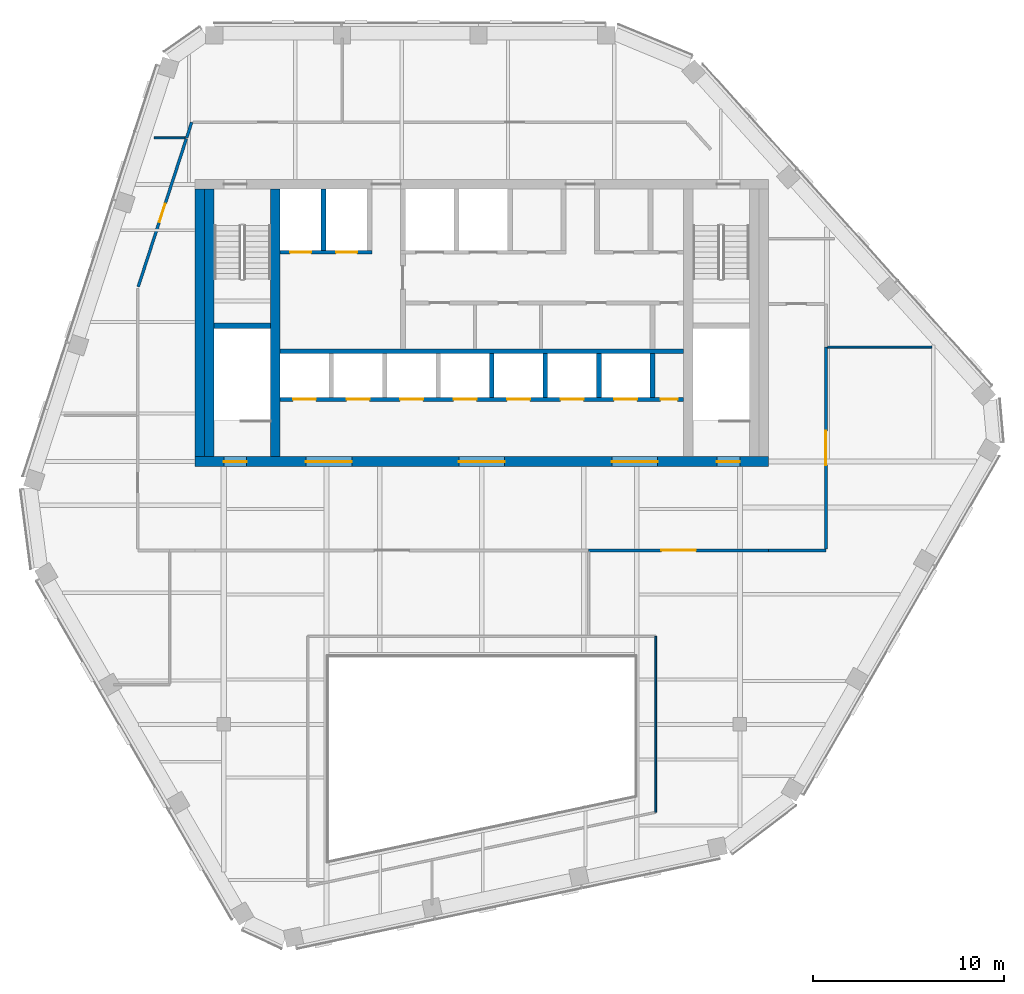
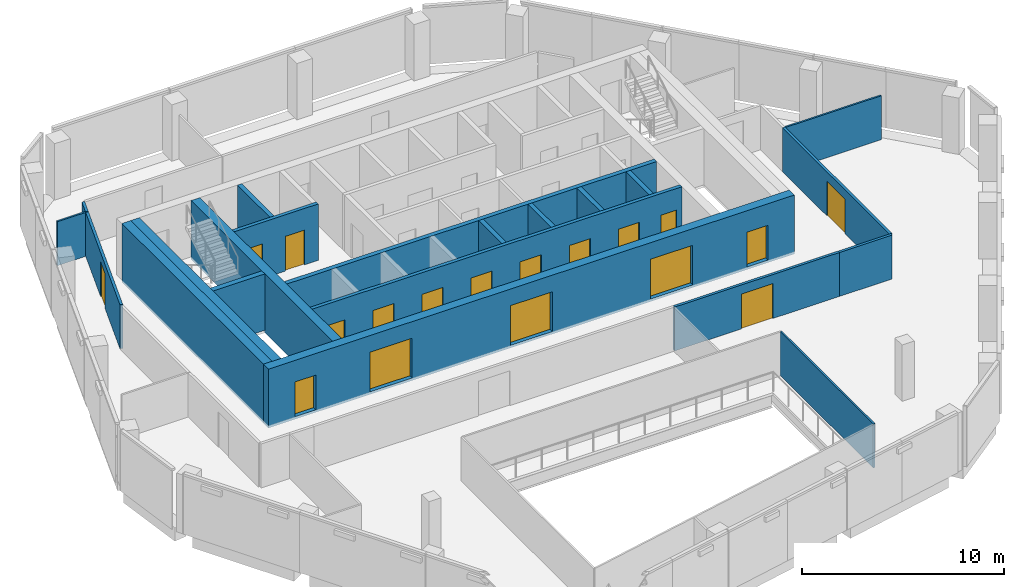
# One storey, part 8 of 13: 21 walls, 18 doors, 18 openings.
"""IFC4 building model written with IfcOpenShell, lengths in metres."""

from ifc_helpers import new_model, si_unit, direction, frame, frame_2d, origin, place, context, subcontext, project, spatial, rectangle, extrude, material, layer, layer_set, type_object, element, fill, save


model = new_model("IFC4")

# Units and contexts
model_context = context("Model", 3, precision=1e-05, world=origin(), true_north=direction((0.0, 1.0)))
body_context = subcontext(model_context, "Body", "Model", "MODEL_VIEW")
ifc_project = project(units=[si_unit("LENGTHUNIT", "METRE"), si_unit("AREAUNIT", "SQUARE_METRE"), si_unit("VOLUMEUNIT", "CUBIC_METRE"), si_unit("PLANEANGLEUNIT", "RADIAN"), si_unit("MASSUNIT", "GRAM", prefix="KILO")], contexts=[model_context])

# Site, building, storey
site_placement = place(None, origin())
site = spatial("IfcSite", under=ifc_project, at=site_placement, CompositionType="ELEMENT")
building_placement = place(site_placement, origin())
building = spatial("IfcBuilding", under=site, at=building_placement, Name="Isthmus Gate Tower", CompositionType="ELEMENT")
storey_placement = place(building_placement, frame((0.0, 0.0, 297.449951171875)))
storey = spatial("IfcBuildingStorey", under=building, at=storey_placement, Name="L76", CompositionType="ELEMENT", Elevation=297.449951171875)

# Wall
ifc_material_1 = material(Name="Fire-rated laminated glass in steel frame", Category="steel")
ifc_layer_1 = layer(ifc_material_1, 0.10009765625)
ifc_layer_set_1 = layer_set([ifc_layer_1], Name="ATRIUM SCREEN GLAZED WALL 100 120 MIN")
wall_type_1 = type_object("IfcWallType", Name="ATRIUM SCREEN GLAZED WALL 100 120 MIN", PredefinedType="PARTITIONING", material=ifc_layer_set_1)
wall_1_placement = place(storey_placement, frame((9.10009765625, -8.89990234375, 0.0), z_axis=(0.0, 0.0, 1.0), x_axis=(0.0, -1.0, 0.0)))
element("IfcWall", 1, at=wall_1_placement, inside=storey, type_object=wall_type_1, Name="L76 atrium screen", PredefinedType="PARTITIONING", context=body_context, shape_type="SweptSolid", body=[
    extrude(rectangle(XDim=9.200927734375, YDim=0.10009765625, at=frame_2d((4.6005859375, 0.0))), origin(), (0.0, 0.0, 1.0), 2.650634765625),
])

# Wall, opening, door
ifc_material_2 = material(Name="Gypsum board on steel studs, fire-rated", Category="steel")
ifc_layer_2 = layer(ifc_material_2, 0.14990234375)
ifc_layer_set_2 = layer_set([ifc_layer_2], Name="CORRIDOR WALL 150 60 MIN")
wall_type_2 = type_object("IfcWallType", Name="CORRIDOR WALL 150 60 MIN", PredefinedType="PARTITIONING", material=ifc_layer_set_2)
wall_2_placement = place(storey_placement, frame((15.0, -4.39990234375, 0.0), z_axis=(0.0, 0.0, 1.0), x_axis=(-1.0, 0.0, 0.0)))
wall_2 = element("IfcWall", 2, at=wall_2_placement, inside=storey, type_object=wall_type_2, Name="L76 Corridor Wall 150 60 Min", PredefinedType="PARTITIONING", context=body_context, shape_type="SweptSolid", body=[
    extrude(rectangle(XDim=9.409912109375, YDim=0.14990234375, at=frame_2d((4.705078125, 0.0))), origin(), (0.0, 0.0, 1.0), 2.650634765625),
])
opening_1_placement = place(wall_2_placement, frame((3.804931640625, 0.0, 0.0)))
opening_1 = element("IfcOpeningElement", 3, at=opening_1_placement, cuts=wall_2, Name="Opening DT-T6D-07", PredefinedType="OPENING", context=body_context, shape_type="SweptSolid", body=[
    extrude(rectangle(XDim=1.800048828125, YDim=2.10009765625, at=frame_2d((0.89990234375, 1.050048828125))), frame((0.0, 0.0849609375, 0.0), z_axis=(0.0, -1.0, 0.0), x_axis=(1.0, 0.0, 0.0)), (0.0, 0.0, 1.0), 0.169921875),
])
ifc_material_3 = material(Name="Solid core timber door leaf, fire-rated", Category="wood")
door_type_1 = type_object("IfcDoorType", Name="FIRE DOOR ROOM 1800 X 2100 60 MIN", OperationType="DOUBLE_DOOR_DOUBLE_SWING", PredefinedType="DOOR", material=ifc_material_3)
door_1_placement = place(opening_1_placement, origin())
door_1 = element("IfcDoor", 4, at=door_1_placement, inside=storey, type_object=door_type_1, Name="L76 room door", OperationType="DOUBLE_DOOR_DOUBLE_SWING", OverallHeight=2.10009765625, OverallWidth=1.800048828125, PredefinedType="DOOR", context=body_context, shape_type="SweptSolid", body=[
    extrude(rectangle(XDim=1.800048828125, YDim=2.10009765625, at=frame_2d((0.89990234375, 1.050048828125))), frame((0.0, 0.02490234375, 0.0), z_axis=(0.0, -1.0, 0.0), x_axis=(1.0, 0.0, 0.0)), (0.0, 0.0, 1.0), 0.050048828125),
])
fill(opening_1, door_1)

# Wall
wall_3_placement = place(storey_placement, frame((18.0, -4.39990234375, 0.0), z_axis=(0.0, 0.0, 1.0), x_axis=(-1.0, 0.0, 0.0)))
element("IfcWall", 5, at=wall_3_placement, inside=storey, type_object=wall_type_2, Name="L76 Corridor Wall 150 60 Min", PredefinedType="PARTITIONING", context=body_context, shape_type="SweptSolid", body=[
    extrude(rectangle(XDim=3.0, YDim=0.14990234375, at=frame_2d((1.5, 0.0))), origin(), (0.0, 0.0, 1.0), 2.650634765625),
])

# Wall, opening, door
wall_4_placement = place(storey_placement, frame((18.0, 6.237060546875, 0.0), z_axis=(0.0, 0.0, 1.0), x_axis=(0.0, -1.0, 0.0)))
wall_4 = element("IfcWall", 6, at=wall_4_placement, inside=storey, type_object=wall_type_2, Name="L76 Corridor Wall 150 60 Min", PredefinedType="PARTITIONING", context=body_context, shape_type="SweptSolid", body=[
    extrude(rectangle(XDim=10.56201171875, YDim=0.14990234375, at=frame_2d((5.281005859375, 0.0))), origin(), (0.0, 0.0, 1.0), 2.650634765625),
])
opening_2_placement = place(wall_4_placement, frame((4.381103515625, 0.0, 0.0)))
opening_2 = element("IfcOpeningElement", 7, at=opening_2_placement, cuts=wall_4, Name="Opening DT-T6D-06", PredefinedType="OPENING", context=body_context, shape_type="SweptSolid", body=[
    extrude(rectangle(XDim=1.800048828125, YDim=2.10009765625, at=frame_2d((0.89990234375, 1.050048828125))), frame((0.0, 0.0849609375, 0.0), z_axis=(0.0, -1.0, 0.0), x_axis=(1.0, 0.0, 0.0)), (0.0, 0.0, 1.0), 0.169921875),
])
door_2_placement = place(opening_2_placement, origin())
door_2 = element("IfcDoor", 8, at=door_2_placement, inside=storey, type_object=door_type_1, Name="L76 room door", OperationType="DOUBLE_DOOR_DOUBLE_SWING", OverallHeight=2.10009765625, OverallWidth=1.800048828125, PredefinedType="DOOR", context=body_context, shape_type="SweptSolid", body=[
    extrude(rectangle(XDim=1.800048828125, YDim=2.10009765625, at=frame_2d((0.89990234375, 1.050048828125))), frame((0.0, 0.02490234375, 0.0), z_axis=(0.0, -1.0, 0.0), x_axis=(1.0, 0.0, 0.0)), (0.0, 0.0, 1.0), 0.050048828125),
])
fill(opening_2, door_2)

# Wall
wall_5_placement = place(storey_placement, frame((-15.44189453125, 17.18701171875, 0.0), z_axis=(0.0, 0.0, 1.0), x_axis=(0.308763129345, 0.951138964588, 0.0)))
element("IfcWall", 9, at=wall_5_placement, inside=storey, type_object=wall_type_2, Name="L76 Corridor Wall 150 60 Min", PredefinedType="PARTITIONING", context=body_context, shape_type="SweptSolid", body=[
    extrude(rectangle(XDim=0.854736328125, YDim=0.14990234375, at=frame_2d((0.42724609375, 0.0))), origin(), (0.0, 0.0, 1.0), 2.650634765625),
])

# Wall, opening, door
wall_6_placement = place(storey_placement, frame((-17.976806640625, 9.38623046875, 0.0), z_axis=(0.0, 0.0, 1.0), x_axis=(0.309031221155, 0.951051893616, 0.0)))
wall_6 = element("IfcWall", 10, at=wall_6_placement, inside=storey, type_object=wall_type_2, Name="L76 Corridor Wall 150 60 Min", PredefinedType="PARTITIONING", context=body_context, shape_type="SweptSolid", body=[
    extrude(rectangle(XDim=8.152099609375, YDim=0.14990234375, at=frame_2d((4.076171875, 0.0))), origin(), (0.0, 0.0, 1.0), 2.650634765625),
])
opening_3_placement = place(wall_6_placement, frame((3.576171875, 0.0, 0.0)))
opening_3 = element("IfcOpeningElement", 11, at=opening_3_placement, cuts=wall_6, Name="Opening DT-T6D-03", PredefinedType="OPENING", context=body_context, shape_type="SweptSolid", body=[
    extrude(rectangle(XDim=1.0, YDim=2.10009765625, at=frame_2d((0.5, 1.050048828125))), frame((0.0, 0.0849609375, 0.0), z_axis=(0.0, -1.0, 0.0), x_axis=(1.0, 0.0, 0.0)), (0.0, 0.0, 1.0), 0.169921875),
])
ifc_material_4 = material(Name="Solid core timber door leaf, fire-rated", Category="wood")
door_type_2 = type_object("IfcDoorType", Name="FIRE DOOR ROOM 1000 X 2100 60 MIN", OperationType="SINGLE_SWING_LEFT", PredefinedType="DOOR", material=ifc_material_4)
door_3_placement = place(opening_3_placement, origin())
door_3 = element("IfcDoor", 12, at=door_3_placement, inside=storey, type_object=door_type_2, Name="L76 room door", OperationType="SINGLE_SWING_RIGHT", OverallHeight=2.10009765625, OverallWidth=1.0, PredefinedType="DOOR", context=body_context, shape_type="SweptSolid", body=[
    extrude(rectangle(XDim=1.0, YDim=2.10009765625, at=frame_2d((0.5, 1.050048828125))), frame((0.0, 0.02490234375, 0.0), z_axis=(0.0, -1.0, 0.0), x_axis=(1.0, 0.0, 0.0)), (0.0, 0.0, 1.0), 0.050048828125),
])
fill(opening_3, door_3)

# Wall
ifc_material_5 = material(Name="Concrete f'c 50 MPa", Category="concrete")
ifc_layer_3 = layer(ifc_material_5, 0.5)
ifc_layer_set_3 = layer_set([ifc_layer_3], Name="RC CORE SPINE WALL 500 F'C 50")
wall_type_3 = type_object("IfcWallType", Name="RC CORE SPINE WALL 500 F'C 50", PredefinedType="SOLIDWALL", material=ifc_layer_set_3)
wall_7_placement = place(storey_placement, frame((-10.800048828125, 0.5, -0.14990234375), z_axis=(0.0, 0.0, 1.0), x_axis=(0.0, 1.0, 0.0)))
element("IfcWall", 13, at=wall_7_placement, inside=storey, type_object=wall_type_3, Name="str-corewall-L76-SPW", PredefinedType="SOLIDWALL", context=body_context, shape_type="SweptSolid", body=[
    extrude(rectangle(XDim=14.0, YDim=0.5, at=frame_2d((7.0, 0.0))), origin(), (0.0, 0.0, 1.0), 3.550048828125),
])

# Wall, openings, doors
ifc_material_6 = material(Name="Concrete f'c 50 MPa", Category="concrete")
ifc_layer_4 = layer(ifc_material_6, 0.5)
ifc_layer_set_4 = layer_set([ifc_layer_4], Name="RC CORE WALL 500 F'C 50")
wall_type_4 = type_object("IfcWallType", Name="RC CORE WALL 500 F'C 50", PredefinedType="SOLIDWALL", material=ifc_layer_set_4)
wall_8_placement = place(storey_placement, frame((-15.0, 0.25, -0.14990234375), z_axis=(0.0, 0.0, 1.0), x_axis=(1.0, 0.0, 0.0)))
wall_8 = element("IfcWall", 14, at=wall_8_placement, inside=storey, type_object=wall_type_4, Name="str-corewall-L76-S", PredefinedType="SOLIDWALL", context=body_context, shape_type="SweptSolid", body=[
    extrude(rectangle(XDim=30.0, YDim=0.5, at=frame_2d((15.0, 0.0))), origin(), (0.0, 0.0, 1.0), 3.550048828125),
])
opening_4_placement = place(wall_8_placement, frame((5.800048828125, 0.0, 0.14990234375)))
opening_4 = element("IfcOpeningElement", 15, at=opening_4_placement, cuts=wall_8, Name="Opening DC-A18-10", PredefinedType="OPENING", context=body_context, shape_type="SweptSolid", body=[
    extrude(rectangle(XDim=2.39990234375, YDim=2.39990234375, at=frame_2d((1.199951171875, 1.199951171875))), frame((0.0, 0.260009765625, 0.0), z_axis=(0.0, -1.0, 0.0), x_axis=(1.0, 0.0, 0.0)), (0.0, 0.0, 1.0), 0.52001953125),
])
opening_5_placement = place(wall_8_placement, frame((13.800048828125, 0.0, 0.14990234375)))
opening_5 = element("IfcOpeningElement", 16, at=opening_5_placement, cuts=wall_8, Name="Opening DC-A18-11", PredefinedType="OPENING", context=body_context, shape_type="SweptSolid", body=[
    extrude(rectangle(XDim=2.39990234375, YDim=2.39990234375, at=frame_2d((1.199951171875, 1.199951171875))), frame((0.0, 0.260009765625, 0.0), z_axis=(0.0, -1.0, 0.0), x_axis=(1.0, 0.0, 0.0)), (0.0, 0.0, 1.0), 0.52001953125),
])
opening_6_placement = place(wall_8_placement, frame((21.800048828125, 0.0, 0.14990234375)))
opening_6 = element("IfcOpeningElement", 17, at=opening_6_placement, cuts=wall_8, Name="Opening DC-A18-12", PredefinedType="OPENING", context=body_context, shape_type="SweptSolid", body=[
    extrude(rectangle(XDim=2.39990234375, YDim=2.39990234375, at=frame_2d((1.199951171875, 1.199951171875))), frame((0.0, 0.260009765625, 0.0), z_axis=(0.0, -1.0, 0.0), x_axis=(1.0, 0.0, 0.0)), (0.0, 0.0, 1.0), 0.52001953125),
])
opening_7_placement = place(wall_8_placement, frame((1.5, 0.0, 0.14990234375)))
opening_7 = element("IfcOpeningElement", 18, at=opening_7_placement, cuts=wall_8, Name="Opening DC-A18-17", PredefinedType="OPENING", context=body_context, shape_type="SweptSolid", body=[
    extrude(rectangle(XDim=1.199951171875, YDim=2.10009765625, at=frame_2d((0.60009765625, 1.050048828125))), frame((0.0, 0.260009765625, 0.0), z_axis=(0.0, -1.0, 0.0), x_axis=(1.0, 0.0, 0.0)), (0.0, 0.0, 1.0), 0.52001953125),
])
opening_8_placement = place(wall_8_placement, frame((27.300048828125, 0.0, 0.14990234375)))
opening_8 = element("IfcOpeningElement", 19, at=opening_8_placement, cuts=wall_8, Name="Opening DC-A18-18", PredefinedType="OPENING", context=body_context, shape_type="SweptSolid", body=[
    extrude(rectangle(XDim=1.199951171875, YDim=2.10009765625, at=frame_2d((0.60009765625, 1.050048828125))), frame((0.0, 0.260009765625, 0.0), z_axis=(0.0, -1.0, 0.0), x_axis=(1.0, 0.0, 0.0)), (0.0, 0.0, 1.0), 0.52001953125),
])
ifc_material_7 = material(Name="Laminated safety glass in steel frame, fire-rated", Category="steel")
door_type_3 = type_object("IfcDoorType", Name="LOBBY ENTRANCE FIRE DOOR 2400 X 2400 60 MIN", OperationType="DOUBLE_DOOR_DOUBLE_SWING", PredefinedType="DOOR", material=ifc_material_7)
door_4_placement = place(opening_4_placement, origin())
door_4 = element("IfcDoor", 20, at=door_4_placement, inside=storey, type_object=door_type_3, Name="Lobby Entrance PS-W", OperationType="DOUBLE_DOOR_DOUBLE_SWING", OverallHeight=2.39990234375, OverallWidth=2.39990234375, PredefinedType="DOOR", context=body_context, shape_type="SweptSolid", body=[
    extrude(rectangle(XDim=2.39990234375, YDim=2.39990234375, at=frame_2d((1.199951171875, 1.199951171875))), frame((0.0, 0.02490234375, 0.0), z_axis=(0.0, -1.0, 0.0), x_axis=(1.0, 0.0, 0.0)), (0.0, 0.0, 1.0), 0.050048828125),
])
fill(opening_4, door_4)
door_5_placement = place(opening_5_placement, origin())
door_5 = element("IfcDoor", 21, at=door_5_placement, inside=storey, type_object=door_type_3, Name="Lobby Entrance PS-C", OperationType="DOUBLE_DOOR_DOUBLE_SWING", OverallHeight=2.39990234375, OverallWidth=2.39990234375, PredefinedType="DOOR", context=body_context, shape_type="SweptSolid", body=[
    extrude(rectangle(XDim=2.39990234375, YDim=2.39990234375, at=frame_2d((1.199951171875, 1.199951171875))), frame((0.0, 0.02490234375, 0.0), z_axis=(0.0, -1.0, 0.0), x_axis=(1.0, 0.0, 0.0)), (0.0, 0.0, 1.0), 0.050048828125),
])
fill(opening_5, door_5)
door_6_placement = place(opening_6_placement, origin())
door_6 = element("IfcDoor", 22, at=door_6_placement, inside=storey, type_object=door_type_3, Name="Lobby Entrance PS-E", OperationType="DOUBLE_DOOR_DOUBLE_SWING", OverallHeight=2.39990234375, OverallWidth=2.39990234375, PredefinedType="DOOR", context=body_context, shape_type="SweptSolid", body=[
    extrude(rectangle(XDim=2.39990234375, YDim=2.39990234375, at=frame_2d((1.199951171875, 1.199951171875))), frame((0.0, 0.02490234375, 0.0), z_axis=(0.0, -1.0, 0.0), x_axis=(1.0, 0.0, 0.0)), (0.0, 0.0, 1.0), 0.050048828125),
])
fill(opening_6, door_6)
ifc_material_8 = material(Name="Steel door leaf, fire-rated", Category="steel")
door_type_4 = type_object("IfcDoorType", Name="STAIR FIRE DOOR 1200 X 2100 90 MIN", OperationType="SINGLE_SWING_LEFT", PredefinedType="DOOR", material=ifc_material_8)
door_7_placement = place(opening_7_placement, origin())
door_7 = element("IfcDoor", 23, at=door_7_placement, inside=storey, type_object=door_type_4, Name="Exit Stair 7 Door", OperationType="SINGLE_SWING_LEFT", OverallHeight=2.10009765625, OverallWidth=1.199951171875, PredefinedType="DOOR", context=body_context, shape_type="SweptSolid", body=[
    extrude(rectangle(XDim=1.199951171875, YDim=2.10009765625, at=frame_2d((0.60009765625, 1.050048828125))), frame((0.0, 0.02490234375, 0.0), z_axis=(0.0, -1.0, 0.0), x_axis=(1.0, 0.0, 0.0)), (0.0, 0.0, 1.0), 0.050048828125),
])
fill(opening_7, door_7)
door_8_placement = place(opening_8_placement, origin())
door_8 = element("IfcDoor", 24, at=door_8_placement, inside=storey, type_object=door_type_4, Name="Exit Stair 8 Door", OperationType="SINGLE_SWING_RIGHT", OverallHeight=2.10009765625, OverallWidth=1.199951171875, PredefinedType="DOOR", context=body_context, shape_type="SweptSolid", body=[
    extrude(rectangle(XDim=1.199951171875, YDim=2.10009765625, at=frame_2d((0.60009765625, 1.050048828125))), frame((0.0, 0.02490234375, 0.0), z_axis=(0.0, -1.0, 0.0), x_axis=(1.0, 0.0, 0.0)), (0.0, 0.0, 1.0), 0.050048828125),
])
fill(opening_8, door_8)

# Walls
wall_9_placement = place(storey_placement, frame((-14.75, 0.5, -0.14990234375), z_axis=(0.0, 0.0, 1.0), x_axis=(0.0, 1.0, 0.0)))
element("IfcWall", 25, at=wall_9_placement, inside=storey, type_object=wall_type_4, Name="str-corewall-L76-W", PredefinedType="SOLIDWALL", context=body_context, shape_type="SweptSolid", body=[
    extrude(rectangle(XDim=14.0, YDim=0.5, at=frame_2d((7.0, 0.0))), origin(), (0.0, 0.0, 1.0), 3.550048828125),
])
ifc_material_9 = material(Name="Gypsum board on steel studs, fire-rated", Category="steel")
ifc_layer_5 = layer(ifc_material_9, 0.10009765625)
ifc_layer_set_5 = layer_set([ifc_layer_5], Name="ROOM PARTITION 100 30 MIN")
wall_type_5 = type_object("IfcWallType", Name="ROOM PARTITION 100 30 MIN", PredefinedType="PARTITIONING", material=ifc_layer_set_5)
wall_10_placement = place(storey_placement, frame((-17.139892578125, 17.18701171875, 0.0), z_axis=(0.0, 0.0, 1.0), x_axis=(1.0, 0.0, 0.0)))
element("IfcWall", 26, at=wall_10_placement, inside=storey, type_object=wall_type_5, Name="L76 Room Partition 100 30 Min", PredefinedType="PARTITIONING", context=body_context, shape_type="SweptSolid", body=[
    extrude(rectangle(XDim=1.622802734375, YDim=0.10009765625, at=frame_2d((0.8115234375, 0.0))), origin(), (0.0, 0.0, 1.0), 2.650634765625),
])
wall_11_placement = place(storey_placement, frame((18.074951171875, 6.237060546875, 0.0), z_axis=(0.0, 0.0, 1.0), x_axis=(1.0, 0.0, 0.0)))
element("IfcWall", 27, at=wall_11_placement, inside=storey, type_object=wall_type_5, Name="L76 Room Partition 100 30 Min", PredefinedType="PARTITIONING", context=body_context, shape_type="SweptSolid", body=[
    extrude(rectangle(XDim=5.47509765625, YDim=0.10009765625, at=frame_2d((2.737548828125, 0.0))), origin(), (0.0, 0.0, 1.0), 2.650634765625),
])

# Wall, openings, doors
ifc_material_10 = material(Name="Fire-rated blockwork masonry, 15 MPa", Category="masonry")
ifc_layer_6 = layer(ifc_material_10, 0.199951171875)
ifc_layer_set_6 = layer_set([ifc_layer_6], Name="SHAFT FRONT WALL 200 120 MIN")
wall_type_6 = type_object("IfcWallType", Name="SHAFT FRONT WALL 200 120 MIN", PredefinedType="PARTITIONING", material=ifc_layer_set_6)
wall_12_placement = place(storey_placement, frame((-10.550048828125, 3.5, 0.0), z_axis=(0.0, 0.0, 1.0), x_axis=(1.0, 0.0, 0.0)))
wall_12 = element("IfcWall", 28, at=wall_12_placement, inside=storey, type_object=wall_type_6, Name="L76 SHAFT FRONT WALL 200 120 MIN", PredefinedType="PARTITIONING", context=body_context, shape_type="SweptSolid", body=[
    extrude(rectangle(XDim=21.10009765625, YDim=0.199951171875, at=frame_2d((10.550048828125, 0.0))), origin(), (0.0, 0.0, 1.0), 3.400146484375),
])
opening_9_placement = place(wall_12_placement, frame((0.675048828125, 0.0, 0.0)))
opening_9 = element("IfcOpeningElement", 29, at=opening_9_placement, cuts=wall_12, Name="Opening LD-LC1", PredefinedType="OPENING", context=body_context, shape_type="SweptSolid", body=[
    extrude(rectangle(XDim=1.199951171875, YDim=2.10009765625, at=frame_2d((0.60009765625, 1.050048828125))), frame((0.0, 0.10986328125, 0.0), z_axis=(0.0, -1.0, 0.0), x_axis=(1.0, 0.0, 0.0)), (0.0, 0.0, 1.0), 0.219970703125),
])
opening_10_placement = place(wall_12_placement, frame((3.47509765625, 0.0, 0.0)))
opening_10 = element("IfcOpeningElement", 30, at=opening_10_placement, cuts=wall_12, Name="Opening LD-LC2", PredefinedType="OPENING", context=body_context, shape_type="SweptSolid", body=[
    extrude(rectangle(XDim=1.199951171875, YDim=2.10009765625, at=frame_2d((0.60009765625, 1.050048828125))), frame((0.0, 0.10986328125, 0.0), z_axis=(0.0, -1.0, 0.0), x_axis=(1.0, 0.0, 0.0)), (0.0, 0.0, 1.0), 0.219970703125),
])
opening_11_placement = place(wall_12_placement, frame((6.27490234375, 0.0, 0.0)))
opening_11 = element("IfcOpeningElement", 31, at=opening_11_placement, cuts=wall_12, Name="Opening LD-LC3", PredefinedType="OPENING", context=body_context, shape_type="SweptSolid", body=[
    extrude(rectangle(XDim=1.199951171875, YDim=2.10009765625, at=frame_2d((0.60009765625, 1.050048828125))), frame((0.0, 0.10986328125, 0.0), z_axis=(0.0, -1.0, 0.0), x_axis=(1.0, 0.0, 0.0)), (0.0, 0.0, 1.0), 0.219970703125),
])
opening_12_placement = place(wall_12_placement, frame((9.074951171875, 0.0, 0.0)))
opening_12 = element("IfcOpeningElement", 32, at=opening_12_placement, cuts=wall_12, Name="Opening LD-LC4", PredefinedType="OPENING", context=body_context, shape_type="SweptSolid", body=[
    extrude(rectangle(XDim=1.199951171875, YDim=2.10009765625, at=frame_2d((0.60009765625, 1.050048828125))), frame((0.0, 0.10986328125, 0.0), z_axis=(0.0, -1.0, 0.0), x_axis=(1.0, 0.0, 0.0)), (0.0, 0.0, 1.0), 0.219970703125),
])
opening_13_placement = place(wall_12_placement, frame((11.875, 0.0, 0.0)))
opening_13 = element("IfcOpeningElement", 33, at=opening_13_placement, cuts=wall_12, Name="Opening LD-LC5", PredefinedType="OPENING", context=body_context, shape_type="SweptSolid", body=[
    extrude(rectangle(XDim=1.199951171875, YDim=2.10009765625, at=frame_2d((0.60009765625, 1.050048828125))), frame((0.0, 0.10986328125, 0.0), z_axis=(0.0, -1.0, 0.0), x_axis=(1.0, 0.0, 0.0)), (0.0, 0.0, 1.0), 0.219970703125),
])
opening_14_placement = place(wall_12_placement, frame((14.675048828125, 0.0, 0.0)))
opening_14 = element("IfcOpeningElement", 34, at=opening_14_placement, cuts=wall_12, Name="Opening LD-LC6", PredefinedType="OPENING", context=body_context, shape_type="SweptSolid", body=[
    extrude(rectangle(XDim=1.199951171875, YDim=2.10009765625, at=frame_2d((0.60009765625, 1.050048828125))), frame((0.0, 0.10986328125, 0.0), z_axis=(0.0, -1.0, 0.0), x_axis=(1.0, 0.0, 0.0)), (0.0, 0.0, 1.0), 0.219970703125),
])
opening_15_placement = place(wall_12_placement, frame((17.47509765625, 0.0, 0.0)))
opening_15 = element("IfcOpeningElement", 35, at=opening_15_placement, cuts=wall_12, Name="Opening LD-LC7", PredefinedType="OPENING", context=body_context, shape_type="SweptSolid", body=[
    extrude(rectangle(XDim=1.199951171875, YDim=2.10009765625, at=frame_2d((0.60009765625, 1.050048828125))), frame((0.0, 0.10986328125, 0.0), z_axis=(0.0, -1.0, 0.0), x_axis=(1.0, 0.0, 0.0)), (0.0, 0.0, 1.0), 0.219970703125),
])
opening_16_placement = place(wall_12_placement, frame((19.89990234375, 0.0, 0.0)))
opening_16 = element("IfcOpeningElement", 36, at=opening_16_placement, cuts=wall_12, Name="Opening DC-A18-02", PredefinedType="OPENING", context=body_context, shape_type="SweptSolid", body=[
    extrude(rectangle(XDim=0.89990234375, YDim=2.10009765625, at=frame_2d((0.449951171875, 1.050048828125))), frame((0.0, 0.10986328125, 0.0), z_axis=(0.0, -1.0, 0.0), x_axis=(1.0, 0.0, 0.0)), (0.0, 0.0, 1.0), 0.219970703125),
])
ifc_material_11 = material(Name="Stainless steel sliding leaf", Category="steel")
door_type_5 = type_object("IfcDoorType", Name="LIFT LANDING FIRE DOOR 1200 X 2100 90 MIN", OperationType="DOUBLE_DOOR_SLIDING", PredefinedType="DOOR", material=ifc_material_11)
door_9_placement = place(opening_9_placement, origin())
door_9 = element("IfcDoor", 37, at=door_9_placement, inside=storey, type_object=door_type_5, Name="Lift Landing Door LC1", OperationType="DOUBLE_DOOR_SLIDING", OverallHeight=2.10009765625, OverallWidth=1.199951171875, PredefinedType="DOOR", context=body_context, shape_type="SweptSolid", body=[
    extrude(rectangle(XDim=1.199951171875, YDim=2.10009765625, at=frame_2d((0.60009765625, 1.050048828125))), frame((0.0, 0.02490234375, 0.0), z_axis=(0.0, -1.0, 0.0), x_axis=(1.0, 0.0, 0.0)), (0.0, 0.0, 1.0), 0.050048828125),
])
fill(opening_9, door_9)
door_10_placement = place(opening_10_placement, origin())
door_10 = element("IfcDoor", 38, at=door_10_placement, inside=storey, type_object=door_type_5, Name="Lift Landing Door LC2", OperationType="DOUBLE_DOOR_SLIDING", OverallHeight=2.10009765625, OverallWidth=1.199951171875, PredefinedType="DOOR", context=body_context, shape_type="SweptSolid", body=[
    extrude(rectangle(XDim=1.199951171875, YDim=2.10009765625, at=frame_2d((0.60009765625, 1.050048828125))), frame((0.0, 0.02490234375, 0.0), z_axis=(0.0, -1.0, 0.0), x_axis=(1.0, 0.0, 0.0)), (0.0, 0.0, 1.0), 0.050048828125),
])
fill(opening_10, door_10)
door_11_placement = place(opening_11_placement, origin())
door_11 = element("IfcDoor", 39, at=door_11_placement, inside=storey, type_object=door_type_5, Name="Lift Landing Door LC3", OperationType="DOUBLE_DOOR_SLIDING", OverallHeight=2.10009765625, OverallWidth=1.199951171875, PredefinedType="DOOR", context=body_context, shape_type="SweptSolid", body=[
    extrude(rectangle(XDim=1.199951171875, YDim=2.10009765625, at=frame_2d((0.60009765625, 1.050048828125))), frame((0.0, 0.02490234375, 0.0), z_axis=(0.0, -1.0, 0.0), x_axis=(1.0, 0.0, 0.0)), (0.0, 0.0, 1.0), 0.050048828125),
])
fill(opening_11, door_11)
door_12_placement = place(opening_12_placement, origin())
door_12 = element("IfcDoor", 40, at=door_12_placement, inside=storey, type_object=door_type_5, Name="Lift Landing Door LC4", OperationType="DOUBLE_DOOR_SLIDING", OverallHeight=2.10009765625, OverallWidth=1.199951171875, PredefinedType="DOOR", context=body_context, shape_type="SweptSolid", body=[
    extrude(rectangle(XDim=1.199951171875, YDim=2.10009765625, at=frame_2d((0.60009765625, 1.050048828125))), frame((0.0, 0.02490234375, 0.0), z_axis=(0.0, -1.0, 0.0), x_axis=(1.0, 0.0, 0.0)), (0.0, 0.0, 1.0), 0.050048828125),
])
fill(opening_12, door_12)
door_13_placement = place(opening_13_placement, origin())
door_13 = element("IfcDoor", 41, at=door_13_placement, inside=storey, type_object=door_type_5, Name="Lift Landing Door LC5", OperationType="DOUBLE_DOOR_SLIDING", OverallHeight=2.10009765625, OverallWidth=1.199951171875, PredefinedType="DOOR", context=body_context, shape_type="SweptSolid", body=[
    extrude(rectangle(XDim=1.199951171875, YDim=2.10009765625, at=frame_2d((0.60009765625, 1.050048828125))), frame((0.0, 0.02490234375, 0.0), z_axis=(0.0, -1.0, 0.0), x_axis=(1.0, 0.0, 0.0)), (0.0, 0.0, 1.0), 0.050048828125),
])
fill(opening_13, door_13)
door_14_placement = place(opening_14_placement, origin())
door_14 = element("IfcDoor", 42, at=door_14_placement, inside=storey, type_object=door_type_5, Name="Lift Landing Door LC6", OperationType="DOUBLE_DOOR_SLIDING", OverallHeight=2.10009765625, OverallWidth=1.199951171875, PredefinedType="DOOR", context=body_context, shape_type="SweptSolid", body=[
    extrude(rectangle(XDim=1.199951171875, YDim=2.10009765625, at=frame_2d((0.60009765625, 1.050048828125))), frame((0.0, 0.02490234375, 0.0), z_axis=(0.0, -1.0, 0.0), x_axis=(1.0, 0.0, 0.0)), (0.0, 0.0, 1.0), 0.050048828125),
])
fill(opening_14, door_14)
door_15_placement = place(opening_15_placement, origin())
door_15 = element("IfcDoor", 43, at=door_15_placement, inside=storey, type_object=door_type_5, Name="Lift Landing Door LC7", OperationType="DOUBLE_DOOR_SLIDING", OverallHeight=2.10009765625, OverallWidth=1.199951171875, PredefinedType="DOOR", context=body_context, shape_type="SweptSolid", body=[
    extrude(rectangle(XDim=1.199951171875, YDim=2.10009765625, at=frame_2d((0.60009765625, 1.050048828125))), frame((0.0, 0.02490234375, 0.0), z_axis=(0.0, -1.0, 0.0), x_axis=(1.0, 0.0, 0.0)), (0.0, 0.0, 1.0), 0.050048828125),
])
fill(opening_15, door_15)
ifc_material_12 = material(Name="Steel door leaf, fire-rated", Category="steel")
door_type_6 = type_object("IfcDoorType", Name="RISER FIRE DOOR 900 X 2100 90 MIN", OperationType="SINGLE_SWING_LEFT", PredefinedType="DOOR", material=ifc_material_12)
door_16_placement = place(opening_16_placement, origin())
door_16 = element("IfcDoor", 44, at=door_16_placement, inside=storey, type_object=door_type_6, Name="Riser Door", OperationType="SINGLE_SWING_RIGHT", OverallHeight=2.10009765625, OverallWidth=0.89990234375, PredefinedType="DOOR", context=body_context, shape_type="SweptSolid", body=[
    extrude(rectangle(XDim=0.89990234375, YDim=2.10009765625, at=frame_2d((0.449951171875, 1.050048828125))), frame((0.0, 0.02490234375, 0.0), z_axis=(0.0, -1.0, 0.0), x_axis=(1.0, 0.0, 0.0)), (0.0, 0.0, 1.0), 0.050048828125),
])
fill(opening_16, door_16)

wall_13_placement = place(storey_placement, frame((-10.550048828125, 11.199951171875, 0.0), z_axis=(0.0, 0.0, 1.0), x_axis=(1.0, 0.0, 0.0)))
wall_13 = element("IfcWall", 45, at=wall_13_placement, inside=storey, type_object=wall_type_6, Name="L76 SHAFT FRONT WALL 200 120 MIN", PredefinedType="PARTITIONING", context=body_context, shape_type="SweptSolid", body=[
    extrude(rectangle(XDim=4.800048828125, YDim=0.199951171875, at=frame_2d((2.39990234375, 0.0))), origin(), (0.0, 0.0, 1.0), 3.400146484375),
])
opening_17_placement = place(wall_13_placement, frame((0.52490234375, 0.0, 0.0)))
opening_17 = element("IfcOpeningElement", 46, at=opening_17_placement, cuts=wall_13, Name="Opening LD-LF1", PredefinedType="OPENING", context=body_context, shape_type="SweptSolid", body=[
    extrude(rectangle(XDim=1.10009765625, YDim=2.10009765625, at=frame_2d((0.550048828125, 1.050048828125))), frame((0.0, 0.10986328125, 0.0), z_axis=(0.0, -1.0, 0.0), x_axis=(1.0, 0.0, 0.0)), (0.0, 0.0, 1.0), 0.219970703125),
])
opening_18_placement = place(wall_13_placement, frame((2.925048828125, 0.0, 0.0)))
opening_18 = element("IfcOpeningElement", 47, at=opening_18_placement, cuts=wall_13, Name="Opening LD-LF2", PredefinedType="OPENING", context=body_context, shape_type="SweptSolid", body=[
    extrude(rectangle(XDim=1.10009765625, YDim=2.10009765625, at=frame_2d((0.550048828125, 1.050048828125))), frame((0.0, 0.10986328125, 0.0), z_axis=(0.0, -1.0, 0.0), x_axis=(1.0, 0.0, 0.0)), (0.0, 0.0, 1.0), 0.219970703125),
])
ifc_material_13 = material(Name="Stainless steel sliding leaf", Category="steel")
door_type_7 = type_object("IfcDoorType", Name="LIFT LANDING FIRE DOOR 1100 X 2100 90 MIN", OperationType="DOUBLE_DOOR_SLIDING", PredefinedType="DOOR", material=ifc_material_13)
door_17_placement = place(opening_17_placement, origin())
door_17 = element("IfcDoor", 48, at=door_17_placement, inside=storey, type_object=door_type_7, Name="Lift Landing Door LF1", OperationType="DOUBLE_DOOR_SLIDING", OverallHeight=2.10009765625, OverallWidth=1.10009765625, PredefinedType="DOOR", context=body_context, shape_type="SweptSolid", body=[
    extrude(rectangle(XDim=1.10009765625, YDim=2.10009765625, at=frame_2d((0.550048828125, 1.050048828125))), frame((0.0, 0.02490234375, 0.0), z_axis=(0.0, -1.0, 0.0), x_axis=(1.0, 0.0, 0.0)), (0.0, 0.0, 1.0), 0.050048828125),
])
fill(opening_17, door_17)
door_18_placement = place(opening_18_placement, origin())
door_18 = element("IfcDoor", 49, at=door_18_placement, inside=storey, type_object=door_type_7, Name="Lift Landing Door LF2", OperationType="DOUBLE_DOOR_SLIDING", OverallHeight=2.10009765625, OverallWidth=1.10009765625, PredefinedType="DOOR", context=body_context, shape_type="SweptSolid", body=[
    extrude(rectangle(XDim=1.10009765625, YDim=2.10009765625, at=frame_2d((0.550048828125, 1.050048828125))), frame((0.0, 0.02490234375, 0.0), z_axis=(0.0, -1.0, 0.0), x_axis=(1.0, 0.0, 0.0)), (0.0, 0.0, 1.0), 0.050048828125),
])
fill(opening_18, door_18)

# Walls
ifc_material_14 = material(Name="Fire-rated blockwork masonry, 15 MPa", Category="masonry")
ifc_layer_7 = layer(ifc_material_14, 0.25)
ifc_layer_set_7 = layer_set([ifc_layer_7], Name="SHAFT WALL 250 120 MIN")
wall_type_7 = type_object("IfcWallType", Name="SHAFT WALL 250 120 MIN", PredefinedType="PARTITIONING", material=ifc_layer_set_7)
wall_14_placement = place(storey_placement, frame((-10.550048828125, 6.02490234375, 0.0), z_axis=(0.0, 0.0, 1.0), x_axis=(1.0, 0.0, 0.0)))
element("IfcWall", 50, at=wall_14_placement, inside=storey, type_object=wall_type_7, Name="L76 SHAFT WALL 250 120 MIN", PredefinedType="PARTITIONING", context=body_context, shape_type="SweptSolid", body=[
    extrude(rectangle(XDim=21.10009765625, YDim=0.25, at=frame_2d((10.550048828125, 0.0))), origin(), (0.0, 0.0, 1.0), 3.400146484375),
])
for number, where, z_axis, x_axis, name in (
    (51, (0.52490234375, 3.60009765625, 0.0), (0.0, 0.0, 1.0), (0.0, 1.0, 0.0), "L76 SHAFT WALL 250 120 MIN"),
    (52, (3.324951171875, 3.60009765625, 0.0), (0.0, 0.0, 1.0), (0.0, 1.0, 0.0), "L76 SHAFT WALL 250 120 MIN"),
    (53, (6.125, 3.60009765625, 0.0), (0.0, 0.0, 1.0), (0.0, 1.0, 0.0), "L76 SHAFT WALL 250 120 MIN"),
    (54, (8.925048828125, 3.60009765625, 0.0), (0.0, 0.0, 1.0), (0.0, 1.0, 0.0), "L76 SHAFT WALL 250 120 MIN"),
):
    element("IfcWall", number, at=place(storey_placement, frame(where, z_axis=z_axis, x_axis=x_axis)), inside=storey, type_object=wall_type_7, Name=name, PredefinedType="PARTITIONING", context=body_context, shape_type="SweptSolid", body=[
        extrude(rectangle(XDim=2.2998046875, YDim=0.25, at=frame_2d((1.14990234375, 0.0))), origin(), (0.0, 0.0, 1.0), 3.400146484375),
    ])
wall_15_placement = place(storey_placement, frame((-8.27490234375, 11.300048828125, 0.0), z_axis=(0.0, 0.0, 1.0), x_axis=(0.0, 1.0, 0.0)))
element("IfcWall", 55, at=wall_15_placement, inside=storey, type_object=wall_type_7, Name="L76 SHAFT WALL 250 120 MIN", PredefinedType="PARTITIONING", context=body_context, shape_type="SweptSolid", body=[
    extrude(rectangle(XDim=3.199951171875, YDim=0.25, at=frame_2d((1.60009765625, 0.0))), origin(), (0.0, 0.0, 1.0), 3.400146484375),
])
ifc_material_15 = material(Name="Concrete f'c 40 MPa", Category="concrete")
ifc_layer_8 = layer(ifc_material_15, 0.300048828125)
ifc_layer_set_8 = layer_set([ifc_layer_8], Name="STAIR ENCLOSURE WALL 300 180 MIN")
wall_type_8 = type_object("IfcWallType", Name="STAIR ENCLOSURE WALL 300 180 MIN", PredefinedType="SOLIDWALL", material=ifc_layer_set_8)
wall_16_placement = place(storey_placement, frame((-14.0, 7.35009765625, 0.0), z_axis=(0.0, 0.0, 1.0), x_axis=(1.0, 0.0, 0.0)))
element("IfcWall", 56, at=wall_16_placement, inside=storey, type_object=wall_type_8, Name="L76 STAIR ENCLOSURE WALL 300 180 MIN", PredefinedType="SOLIDWALL", context=body_context, shape_type="SweptSolid", body=[
    extrude(rectangle(XDim=2.949951171875, YDim=0.300048828125, at=frame_2d((1.47509765625, 0.0))), origin(), (0.0, 0.0, 1.0), 3.400146484375),
])
ifc_material_16 = material(Name="Concrete f'c 40 MPa", Category="concrete")
ifc_layer_9 = layer(ifc_material_16, 0.5)
ifc_layer_set_9 = layer_set([ifc_layer_9], Name="STAIR ENCLOSURE WALL 500 180 MIN")
wall_type_9 = type_object("IfcWallType", Name="STAIR ENCLOSURE WALL 500 180 MIN", PredefinedType="SOLIDWALL", material=ifc_layer_set_9)
wall_17_placement = place(storey_placement, frame((-14.25, 0.5, 0.0), z_axis=(0.0, 0.0, 1.0), x_axis=(0.0, 1.0, 0.0)))
element("IfcWall", 57, at=wall_17_placement, inside=storey, type_object=wall_type_9, Name="L76 STAIR ENCLOSURE WALL 500 180 MIN", PredefinedType="SOLIDWALL", context=body_context, shape_type="SweptSolid", body=[
    extrude(rectangle(XDim=14.0, YDim=0.5, at=frame_2d((7.0, 0.0))), origin(), (0.0, 0.0, 1.0), 3.400146484375),
])

save(model, "model.ifc")
